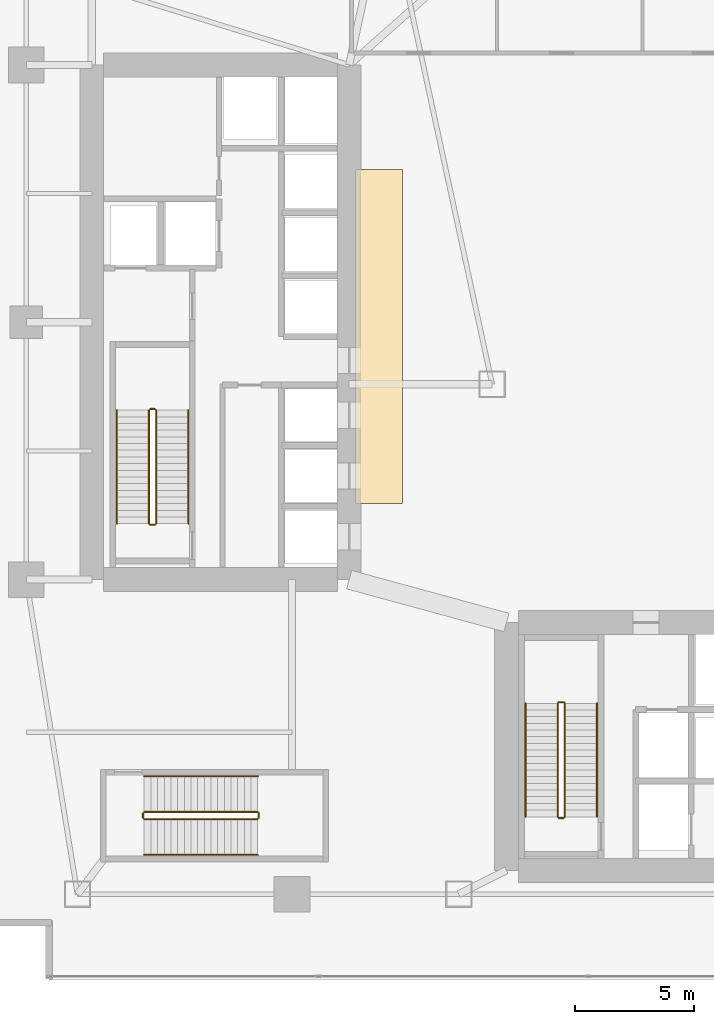
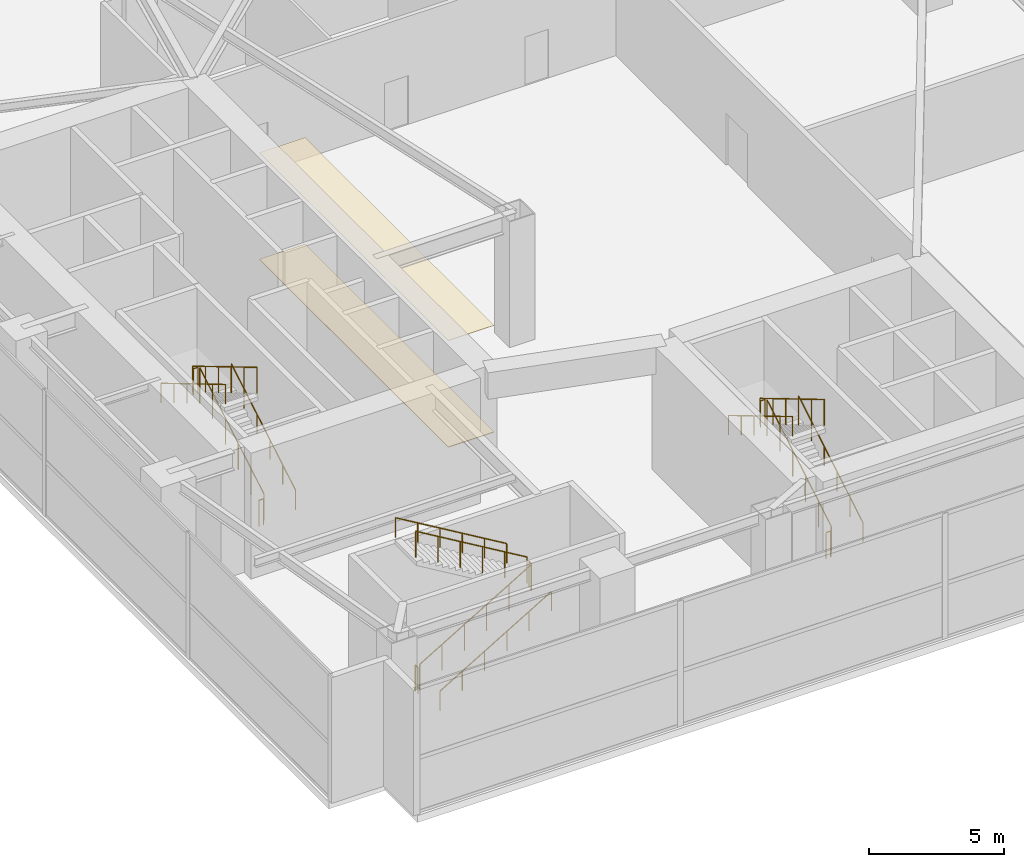
# One storey, part 34 of 35: 18 railings, 2 coverings.
"""IFC4 building model written with IfcOpenShell, lengths in metres."""

from ifc_helpers import new_model, si_unit, direction, frame, origin, origin_2d, place, context, subcontext, project, spatial, rectangle, circle, extrude, material, layer, layer_set, type_object, element, save


model = new_model("IFC4")

# Units and contexts
model_context = context("Model", 3, precision=1e-05, world=origin(), true_north=direction((0.0, 1.0)))
body_context = subcontext(model_context, "Body", "Model", "MODEL_VIEW")
ifc_project = project(units=[si_unit("LENGTHUNIT", "METRE"), si_unit("AREAUNIT", "SQUARE_METRE"), si_unit("VOLUMEUNIT", "CUBIC_METRE"), si_unit("PLANEANGLEUNIT", "RADIAN"), si_unit("MASSUNIT", "GRAM", prefix="KILO")], contexts=[model_context])

# Site, building, storey
site_placement = place(None, origin())
site = spatial("IfcSite", under=ifc_project, at=site_placement, CompositionType="ELEMENT")
building_placement = place(site_placement, origin())
building = spatial("IfcBuilding", under=site, at=building_placement, Name="Calvorn Quay Hotel", CompositionType="ELEMENT")
storey_placement = place(building_placement, frame((0.0, 0.0, 6.0)))
storey = spatial("IfcBuildingStorey", under=building, at=storey_placement, Name="L01", CompositionType="ELEMENT", Elevation=6.0)

# Coverings
ifc_material_1 = material(Name="Anodised Aluminium Acoustic Baffle", Category="aluminium")
ifc_layer_1 = layer(ifc_material_1, 0.02001953125)
ifc_layer_set_1 = layer_set([ifc_layer_1], Name="COV-CEIL-METAL")
covering_type_1 = type_object("IfcCoveringType", Name="COV-CEIL-METAL", PredefinedType="CEILING", material=ifc_layer_set_1)
covering_1_placement = place(storey_placement, frame((16.25, 27.0, 4.820068359375), z_axis=(0.0, 0.0, 1.0), x_axis=(1.0, 0.0, 0.0)))
element("IfcCovering", 1, at=covering_1_placement, inside=storey, type_object=covering_type_1, Name="Acoustic Suspended Ceiling (L01)", PredefinedType="CEILING", context=body_context, shape_type="SweptSolid", body=[
    extrude(rectangle(XDim=1.9599609375, YDim=14.0, at=origin_2d()), origin(), (0.0, 0.0, 1.0), 0.02001953125),
])
ifc_material_2 = material(Name="Honed Granite Stone Flooring", Category="masonry")
ifc_layer_2 = layer(ifc_material_2, 0.02392578125)
ifc_layer_set_2 = layer_set([ifc_layer_2], Name="COV-FLOOR-STONE")
covering_type_2 = type_object("IfcCoveringType", Name="COV-FLOOR-STONE", PredefinedType="FLOORING", material=ifc_layer_set_2)
covering_2_placement = place(storey_placement, frame((16.25, 27.0, 0.0), z_axis=(0.0, 0.0, 1.0), x_axis=(1.0, 0.0, 0.0)))
element("IfcCovering", 2, at=covering_2_placement, inside=storey, type_object=covering_type_2, Name="Interior Floor Finish (L01)", PredefinedType="FLOORING", context=body_context, shape_type="SweptSolid", body=[
    extrude(rectangle(XDim=1.9599609375, YDim=14.0, at=origin_2d()), origin(), (0.0, 0.0, 1.0), 0.02392578125),
])

# Railings
ifc_material_3 = material(Name="Brushed Stainless Steel Handrail", Category="steel")
railing_type_1 = type_object("IfcRailingType", Name="RLG-HANDRAIL-900", PredefinedType="HANDRAIL", material=ifc_material_3)
railing_1_placement = place(storey_placement, frame((8.25, 19.14990234375, 0.166748046875)))
element("IfcRailing", 3, at=railing_1_placement, inside=storey, type_object=railing_type_1, Name="L01 ST-W stair handrail 1", PredefinedType="HANDRAIL", context=body_context, shape_type="SweptSolid", body=[
    extrude(circle(Radius=0.02392578125, at=origin_2d()), frame((0.0, 0.0, 0.8759765625), z_axis=(0.0, 0.859299802514, 0.511472237174), x_axis=(-1.0, 0.0, 0.0)), (0.0, 0.0, 1.0), 5.539306640625),
    extrude(circle(Radius=0.02099609375, at=origin_2d()), origin(), (0.0, 0.0, 1.0), 0.851806640625),
    extrude(circle(Radius=0.02099609375, at=origin_2d()), frame((0.0, 0.951904296875, 0.566650390625)), (0.0, 0.0, 1.0), 0.851806640625),
    extrude(circle(Radius=0.02099609375, at=origin_2d()), frame((0.0, 1.904052734375, 1.13330078125)), (0.0, 0.0, 1.0), 0.851806640625),
    extrude(circle(Radius=0.02099609375, at=origin_2d()), frame((0.0, 2.85595703125, 1.699951171875)), (0.0, 0.0, 1.0), 0.851806640625),
    extrude(circle(Radius=0.02099609375, at=origin_2d()), frame((0.0, 3.80810546875, 2.2666015625)), (0.0, 0.0, 1.0), 0.851806640625),
    extrude(circle(Radius=0.02099609375, at=origin_2d()), frame((0.0, 4.760009765625, 2.833251953125)), (0.0, 0.0, 1.0), 0.851806640625),
])
railing_2_placement = place(storey_placement, frame((5.25, 23.909912109375, 3.166748046875)))
element("IfcRailing", 4, at=railing_2_placement, inside=storey, type_object=railing_type_1, Name="L01 ST-W stair handrail 2", PredefinedType="HANDRAIL", context=body_context, shape_type="SweptSolid", body=[
    extrude(circle(Radius=0.02392578125, at=origin_2d()), frame((0.0, 0.0, 0.8759765625), z_axis=(0.0, -0.859299802514, 0.511472237174), x_axis=(1.0, 0.0, 0.0)), (0.0, 0.0, 1.0), 5.539306640625),
    extrude(circle(Radius=0.02099609375, at=origin_2d()), origin(), (0.0, 0.0, 1.0), 0.851806640625),
    extrude(circle(Radius=0.02099609375, at=origin_2d()), frame((0.0, -0.951904296875, 0.566650390625)), (0.0, 0.0, 1.0), 0.851806640625),
    extrude(circle(Radius=0.02099609375, at=origin_2d()), frame((0.0, -1.904052734375, 1.13330078125)), (0.0, 0.0, 1.0), 0.851806640625),
    extrude(circle(Radius=0.02099609375, at=origin_2d()), frame((0.0, -2.85595703125, 1.699951171875)), (0.0, 0.0, 1.0), 0.851806640625),
    extrude(circle(Radius=0.02099609375, at=origin_2d()), frame((0.0, -3.80810546875, 2.2666015625)), (0.0, 0.0, 1.0), 0.851806640625),
    extrude(circle(Radius=0.02099609375, at=origin_2d()), frame((0.0, -4.760009765625, 2.833251953125)), (0.0, 0.0, 1.0), 0.851806640625),
])
railing_3_placement = place(storey_placement, frame((25.39990234375, 6.85009765625, 0.166748046875)))
element("IfcRailing", 5, at=railing_3_placement, inside=storey, type_object=railing_type_1, Name="L01 ST-E stair handrail 1", PredefinedType="HANDRAIL", context=body_context, shape_type="SweptSolid", body=[
    extrude(circle(Radius=0.02392578125, at=origin_2d()), frame((0.0, 0.0, 0.8759765625), z_axis=(0.0, 0.859299802514, 0.511472237174), x_axis=(-1.0, 0.0, 0.0)), (0.0, 0.0, 1.0), 5.539306640625),
    extrude(circle(Radius=0.02099609375, at=origin_2d()), origin(), (0.0, 0.0, 1.0), 0.851806640625),
    extrude(circle(Radius=0.02099609375, at=origin_2d()), frame((0.0, 0.951904296875, 0.566650390625)), (0.0, 0.0, 1.0), 0.851806640625),
    extrude(circle(Radius=0.02099609375, at=origin_2d()), frame((0.0, 1.904052734375, 1.13330078125)), (0.0, 0.0, 1.0), 0.851806640625),
    extrude(circle(Radius=0.02099609375, at=origin_2d()), frame((0.0, 2.85595703125, 1.699951171875)), (0.0, 0.0, 1.0), 0.851806640625),
    extrude(circle(Radius=0.02099609375, at=origin_2d()), frame((0.0, 3.80810546875, 2.2666015625)), (0.0, 0.0, 1.0), 0.851806640625),
    extrude(circle(Radius=0.02099609375, at=origin_2d()), frame((0.0, 4.760009765625, 2.833251953125)), (0.0, 0.0, 1.0), 0.851806640625),
])
railing_4_placement = place(storey_placement, frame((22.39990234375, 11.610107421875, 3.166748046875)))
element("IfcRailing", 6, at=railing_4_placement, inside=storey, type_object=railing_type_1, Name="L01 ST-E stair handrail 2", PredefinedType="HANDRAIL", context=body_context, shape_type="SweptSolid", body=[
    extrude(circle(Radius=0.02392578125, at=origin_2d()), frame((0.0, 0.0, 0.8759765625), z_axis=(0.0, -0.859299802514, 0.511472237174), x_axis=(1.0, 0.0, 0.0)), (0.0, 0.0, 1.0), 5.539306640625),
    extrude(circle(Radius=0.02099609375, at=origin_2d()), origin(), (0.0, 0.0, 1.0), 0.851806640625),
    extrude(circle(Radius=0.02099609375, at=origin_2d()), frame((0.0, -0.951904296875, 0.566650390625)), (0.0, 0.0, 1.0), 0.851806640625),
    extrude(circle(Radius=0.02099609375, at=origin_2d()), frame((0.0, -1.904052734375, 1.13330078125)), (0.0, 0.0, 1.0), 0.851806640625),
    extrude(circle(Radius=0.02099609375, at=origin_2d()), frame((0.0, -2.85595703125, 1.699951171875)), (0.0, 0.0, 1.0), 0.851806640625),
    extrude(circle(Radius=0.02099609375, at=origin_2d()), frame((0.0, -3.80810546875, 2.2666015625)), (0.0, 0.0, 1.0), 0.851806640625),
    extrude(circle(Radius=0.02099609375, at=origin_2d()), frame((0.0, -4.760009765625, 2.833251953125)), (0.0, 0.0, 1.0), 0.851806640625),
])
railing_5_placement = place(storey_placement, frame((6.39990234375, 5.25, 0.166748046875)))
element("IfcRailing", 7, at=railing_5_placement, inside=storey, type_object=railing_type_1, Name="L01 ST-P2 stair handrail 1", PredefinedType="HANDRAIL", context=body_context, shape_type="SweptSolid", body=[
    extrude(circle(Radius=0.02392578125, at=origin_2d()), frame((0.0, 0.0, 0.8759765625), z_axis=(0.859299802514, 0.0, 0.511472237174), x_axis=(0.0, 1.0, 0.0)), (0.0, 0.0, 1.0), 5.539306640625),
    extrude(circle(Radius=0.02099609375, at=origin_2d()), origin(), (0.0, 0.0, 1.0), 0.851806640625),
    extrude(circle(Radius=0.02099609375, at=origin_2d()), frame((0.951904296875, 0.0, 0.566650390625)), (0.0, 0.0, 1.0), 0.851806640625),
    extrude(circle(Radius=0.02099609375, at=origin_2d()), frame((1.904052734375, 0.0, 1.13330078125)), (0.0, 0.0, 1.0), 0.851806640625),
    extrude(circle(Radius=0.02099609375, at=origin_2d()), frame((2.85595703125, 0.0, 1.699951171875)), (0.0, 0.0, 1.0), 0.851806640625),
    extrude(circle(Radius=0.02099609375, at=origin_2d()), frame((3.80810546875, 0.0, 2.2666015625)), (0.0, 0.0, 1.0), 0.851806640625),
    extrude(circle(Radius=0.02099609375, at=origin_2d()), frame((4.760009765625, 0.0, 2.833251953125)), (0.0, 0.0, 1.0), 0.851806640625),
])
railing_6_placement = place(storey_placement, frame((11.159912109375, 8.550048828125, 3.166748046875)))
element("IfcRailing", 8, at=railing_6_placement, inside=storey, type_object=railing_type_1, Name="L01 ST-P2 stair handrail 2", PredefinedType="HANDRAIL", context=body_context, shape_type="SweptSolid", body=[
    extrude(circle(Radius=0.02392578125, at=origin_2d()), frame((0.0, 0.0, 0.8759765625), z_axis=(-0.859299802514, 0.0, 0.511472237174), x_axis=(0.0, -1.0, 0.0)), (0.0, 0.0, 1.0), 5.539306640625),
    extrude(circle(Radius=0.02099609375, at=origin_2d()), origin(), (0.0, 0.0, 1.0), 0.851806640625),
    extrude(circle(Radius=0.02099609375, at=origin_2d()), frame((-0.951904296875, 0.0, 0.566650390625)), (0.0, 0.0, 1.0), 0.851806640625),
    extrude(circle(Radius=0.02099609375, at=origin_2d()), frame((-1.904052734375, 0.0, 1.13330078125)), (0.0, 0.0, 1.0), 0.851806640625),
    extrude(circle(Radius=0.02099609375, at=origin_2d()), frame((-2.85595703125, 0.0, 1.699951171875)), (0.0, 0.0, 1.0), 0.851806640625),
    extrude(circle(Radius=0.02099609375, at=origin_2d()), frame((-3.80810546875, 0.0, 2.2666015625)), (0.0, 0.0, 1.0), 0.851806640625),
    extrude(circle(Radius=0.02099609375, at=origin_2d()), frame((-4.760009765625, 0.0, 2.833251953125)), (0.0, 0.0, 1.0), 0.851806640625),
])
ifc_material_4 = material(Name="Painted Galvanised Steel Balustrade", Category="steel")
railing_type_2 = type_object("IfcRailingType", Name="RLG-STAIR-GUARD-1120", PredefinedType="GUARDRAIL", material=ifc_material_4)
railing_7_placement = place(storey_placement, frame((6.89990234375, 19.14990234375, 0.166748046875)))
element("IfcRailing", 9, at=railing_7_placement, inside=storey, type_object=railing_type_2, Name="L01 ST-W stair guard 1", PredefinedType="GUARDRAIL", context=body_context, shape_type="SweptSolid", body=[
    extrude(circle(Radius=0.02392578125, at=origin_2d()), frame((0.0, 0.0, 1.17578125), z_axis=(0.0, 0.859299802514, 0.511472237174), x_axis=(-1.0, 0.0, 0.0)), (0.0, 0.0, 1.0), 5.539306640625),
    extrude(circle(Radius=0.02099609375, at=origin_2d()), origin(), (0.0, 0.0, 1.0), 1.15185546875),
    extrude(circle(Radius=0.02099609375, at=origin_2d()), frame((0.0, 0.951904296875, 0.566650390625)), (0.0, 0.0, 1.0), 1.15185546875),
    extrude(circle(Radius=0.02099609375, at=origin_2d()), frame((0.0, 1.904052734375, 1.13330078125)), (0.0, 0.0, 1.0), 1.15185546875),
    extrude(circle(Radius=0.02099609375, at=origin_2d()), frame((0.0, 2.85595703125, 1.699951171875)), (0.0, 0.0, 1.0), 1.15185546875),
    extrude(circle(Radius=0.02099609375, at=origin_2d()), frame((0.0, 3.80810546875, 2.2666015625)), (0.0, 0.0, 1.0), 1.15185546875),
    extrude(circle(Radius=0.02099609375, at=origin_2d()), frame((0.0, 4.760009765625, 2.833251953125)), (0.0, 0.0, 1.0), 1.15185546875),
])
railing_8_placement = place(storey_placement, frame((6.85009765625, 23.9599609375, 3.0)))
element("IfcRailing", 10, at=railing_8_placement, inside=storey, type_object=railing_type_2, Name="L01 ST-W stair guard 2", PredefinedType="GUARDRAIL", context=body_context, shape_type="SweptSolid", body=[
    extrude(circle(Radius=0.02392578125, at=origin_2d()), frame((0.0, 0.0, 1.17578125), z_axis=(-1.0, 0.0, 0.0), x_axis=(0.0, -1.0, 0.0)), (0.0, 0.0, 1.0), 0.2001953125),
    extrude(circle(Radius=0.02099609375, at=origin_2d()), origin(), (0.0, 0.0, 1.0), 1.15185546875),
    extrude(circle(Radius=0.02099609375, at=origin_2d()), frame((-0.2001953125, 0.0, 0.0)), (0.0, 0.0, 1.0), 1.15185546875),
])
railing_9_placement = place(storey_placement, frame((6.60009765625, 23.909912109375, 3.166748046875)))
element("IfcRailing", 11, at=railing_9_placement, inside=storey, type_object=railing_type_2, Name="L01 ST-W stair guard 3", PredefinedType="GUARDRAIL", context=body_context, shape_type="SweptSolid", body=[
    extrude(circle(Radius=0.02392578125, at=origin_2d()), frame((0.0, 0.0, 1.17578125), z_axis=(0.0, -0.859299802514, 0.511472237174), x_axis=(1.0, 0.0, 0.0)), (0.0, 0.0, 1.0), 5.539306640625),
    extrude(circle(Radius=0.02099609375, at=origin_2d()), origin(), (0.0, 0.0, 1.0), 1.15185546875),
    extrude(circle(Radius=0.02099609375, at=origin_2d()), frame((0.0, -0.951904296875, 0.566650390625)), (0.0, 0.0, 1.0), 1.15185546875),
    extrude(circle(Radius=0.02099609375, at=origin_2d()), frame((0.0, -1.904052734375, 1.13330078125)), (0.0, 0.0, 1.0), 1.15185546875),
    extrude(circle(Radius=0.02099609375, at=origin_2d()), frame((0.0, -2.85595703125, 1.699951171875)), (0.0, 0.0, 1.0), 1.15185546875),
    extrude(circle(Radius=0.02099609375, at=origin_2d()), frame((0.0, -3.80810546875, 2.2666015625)), (0.0, 0.0, 1.0), 1.15185546875),
    extrude(circle(Radius=0.02099609375, at=origin_2d()), frame((0.0, -4.760009765625, 2.833251953125)), (0.0, 0.0, 1.0), 1.15185546875),
])
railing_10_placement = place(storey_placement, frame((6.85009765625, 19.10009765625, 0.0)))
element("IfcRailing", 12, at=railing_10_placement, inside=storey, type_object=railing_type_2, Name="L01 ST-W stair guard 4", PredefinedType="GUARDRAIL", context=body_context, shape_type="SweptSolid", body=[
    extrude(circle(Radius=0.02392578125, at=origin_2d()), frame((0.0, 0.0, 1.17578125), z_axis=(-1.0, 0.0, 0.0), x_axis=(0.0, -1.0, 0.0)), (0.0, 0.0, 1.0), 0.2001953125),
    extrude(circle(Radius=0.02099609375, at=origin_2d()), origin(), (0.0, 0.0, 1.0), 1.15185546875),
    extrude(circle(Radius=0.02099609375, at=origin_2d()), frame((-0.2001953125, 0.0, 0.0)), (0.0, 0.0, 1.0), 1.15185546875),
])
railing_11_placement = place(storey_placement, frame((24.050048828125, 6.85009765625, 0.166748046875)))
element("IfcRailing", 13, at=railing_11_placement, inside=storey, type_object=railing_type_2, Name="L01 ST-E stair guard 1", PredefinedType="GUARDRAIL", context=body_context, shape_type="SweptSolid", body=[
    extrude(circle(Radius=0.02392578125, at=origin_2d()), frame((0.0, 0.0, 1.17578125), z_axis=(0.0, 0.859299802514, 0.511472237174), x_axis=(-1.0, 0.0, 0.0)), (0.0, 0.0, 1.0), 5.539306640625),
    extrude(circle(Radius=0.02099609375, at=origin_2d()), origin(), (0.0, 0.0, 1.0), 1.15185546875),
    extrude(circle(Radius=0.02099609375, at=origin_2d()), frame((0.0, 0.951904296875, 0.566650390625)), (0.0, 0.0, 1.0), 1.15185546875),
    extrude(circle(Radius=0.02099609375, at=origin_2d()), frame((0.0, 1.904052734375, 1.13330078125)), (0.0, 0.0, 1.0), 1.15185546875),
    extrude(circle(Radius=0.02099609375, at=origin_2d()), frame((0.0, 2.85595703125, 1.699951171875)), (0.0, 0.0, 1.0), 1.15185546875),
    extrude(circle(Radius=0.02099609375, at=origin_2d()), frame((0.0, 3.80810546875, 2.2666015625)), (0.0, 0.0, 1.0), 1.15185546875),
    extrude(circle(Radius=0.02099609375, at=origin_2d()), frame((0.0, 4.760009765625, 2.833251953125)), (0.0, 0.0, 1.0), 1.15185546875),
])
railing_12_placement = place(storey_placement, frame((24.0, 11.659912109375, 3.0)))
element("IfcRailing", 14, at=railing_12_placement, inside=storey, type_object=railing_type_2, Name="L01 ST-E stair guard 2", PredefinedType="GUARDRAIL", context=body_context, shape_type="SweptSolid", body=[
    extrude(circle(Radius=0.02392578125, at=origin_2d()), frame((0.0, 0.0, 1.17578125), z_axis=(-1.0, 0.0, 0.0), x_axis=(0.0, -1.0, 0.0)), (0.0, 0.0, 1.0), 0.199951171875),
    extrude(circle(Radius=0.02099609375, at=origin_2d()), origin(), (0.0, 0.0, 1.0), 1.15185546875),
    extrude(circle(Radius=0.02099609375, at=origin_2d()), frame((-0.199951171875, 0.0, 0.0)), (0.0, 0.0, 1.0), 1.15185546875),
])
railing_13_placement = place(storey_placement, frame((23.75, 11.610107421875, 3.166748046875)))
element("IfcRailing", 15, at=railing_13_placement, inside=storey, type_object=railing_type_2, Name="L01 ST-E stair guard 3", PredefinedType="GUARDRAIL", context=body_context, shape_type="SweptSolid", body=[
    extrude(circle(Radius=0.02392578125, at=origin_2d()), frame((0.0, 0.0, 1.17578125), z_axis=(0.0, -0.859299802514, 0.511472237174), x_axis=(1.0, 0.0, 0.0)), (0.0, 0.0, 1.0), 5.539306640625),
    extrude(circle(Radius=0.02099609375, at=origin_2d()), origin(), (0.0, 0.0, 1.0), 1.15185546875),
    extrude(circle(Radius=0.02099609375, at=origin_2d()), frame((0.0, -0.951904296875, 0.566650390625)), (0.0, 0.0, 1.0), 1.15185546875),
    extrude(circle(Radius=0.02099609375, at=origin_2d()), frame((0.0, -1.904052734375, 1.13330078125)), (0.0, 0.0, 1.0), 1.15185546875),
    extrude(circle(Radius=0.02099609375, at=origin_2d()), frame((0.0, -2.85595703125, 1.699951171875)), (0.0, 0.0, 1.0), 1.15185546875),
    extrude(circle(Radius=0.02099609375, at=origin_2d()), frame((0.0, -3.80810546875, 2.2666015625)), (0.0, 0.0, 1.0), 1.15185546875),
    extrude(circle(Radius=0.02099609375, at=origin_2d()), frame((0.0, -4.760009765625, 2.833251953125)), (0.0, 0.0, 1.0), 1.15185546875),
])
railing_14_placement = place(storey_placement, frame((24.0, 6.800048828125, 0.0)))
element("IfcRailing", 16, at=railing_14_placement, inside=storey, type_object=railing_type_2, Name="L01 ST-E stair guard 4", PredefinedType="GUARDRAIL", context=body_context, shape_type="SweptSolid", body=[
    extrude(circle(Radius=0.02392578125, at=origin_2d()), frame((0.0, 0.0, 1.17578125), z_axis=(-1.0, 0.0, 0.0), x_axis=(0.0, -1.0, 0.0)), (0.0, 0.0, 1.0), 0.199951171875),
    extrude(circle(Radius=0.02099609375, at=origin_2d()), origin(), (0.0, 0.0, 1.0), 1.15185546875),
    extrude(circle(Radius=0.02099609375, at=origin_2d()), frame((-0.199951171875, 0.0, 0.0)), (0.0, 0.0, 1.0), 1.15185546875),
])
railing_15_placement = place(storey_placement, frame((6.39990234375, 6.75, 0.166748046875)))
element("IfcRailing", 17, at=railing_15_placement, inside=storey, type_object=railing_type_2, Name="L01 ST-P2 stair guard 1", PredefinedType="GUARDRAIL", context=body_context, shape_type="SweptSolid", body=[
    extrude(circle(Radius=0.02392578125, at=origin_2d()), frame((0.0, 0.0, 1.17578125), z_axis=(0.859299802514, 0.0, 0.511472237174), x_axis=(0.0, 1.0, 0.0)), (0.0, 0.0, 1.0), 5.539306640625),
    extrude(circle(Radius=0.02099609375, at=origin_2d()), origin(), (0.0, 0.0, 1.0), 1.15185546875),
    extrude(circle(Radius=0.02099609375, at=origin_2d()), frame((0.951904296875, 0.0, 0.566650390625)), (0.0, 0.0, 1.0), 1.15185546875),
    extrude(circle(Radius=0.02099609375, at=origin_2d()), frame((1.904052734375, 0.0, 1.13330078125)), (0.0, 0.0, 1.0), 1.15185546875),
    extrude(circle(Radius=0.02099609375, at=origin_2d()), frame((2.85595703125, 0.0, 1.699951171875)), (0.0, 0.0, 1.0), 1.15185546875),
    extrude(circle(Radius=0.02099609375, at=origin_2d()), frame((3.80810546875, 0.0, 2.2666015625)), (0.0, 0.0, 1.0), 1.15185546875),
    extrude(circle(Radius=0.02099609375, at=origin_2d()), frame((4.760009765625, 0.0, 2.833251953125)), (0.0, 0.0, 1.0), 1.15185546875),
])
railing_16_placement = place(storey_placement, frame((11.2099609375, 6.800048828125, 3.0)))
element("IfcRailing", 18, at=railing_16_placement, inside=storey, type_object=railing_type_2, Name="L01 ST-P2 stair guard 2", PredefinedType="GUARDRAIL", context=body_context, shape_type="SweptSolid", body=[
    extrude(circle(Radius=0.02392578125, at=origin_2d()), frame((0.0, 0.0, 1.17578125), z_axis=(0.0, 1.0, 0.0), x_axis=(-1.0, 0.0, 0.0)), (0.0, 0.0, 1.0), 0.199951171875),
    extrude(circle(Radius=0.02099609375, at=origin_2d()), origin(), (0.0, 0.0, 1.0), 1.15185546875),
    extrude(circle(Radius=0.02099609375, at=origin_2d()), frame((0.0, 0.199951171875, 0.0)), (0.0, 0.0, 1.0), 1.15185546875),
])
railing_17_placement = place(storey_placement, frame((11.159912109375, 7.050048828125, 3.166748046875)))
element("IfcRailing", 19, at=railing_17_placement, inside=storey, type_object=railing_type_2, Name="L01 ST-P2 stair guard 3", PredefinedType="GUARDRAIL", context=body_context, shape_type="SweptSolid", body=[
    extrude(circle(Radius=0.02392578125, at=origin_2d()), frame((0.0, 0.0, 1.17578125), z_axis=(-0.859299802514, 0.0, 0.511472237174), x_axis=(0.0, -1.0, 0.0)), (0.0, 0.0, 1.0), 5.539306640625),
    extrude(circle(Radius=0.02099609375, at=origin_2d()), origin(), (0.0, 0.0, 1.0), 1.15185546875),
    extrude(circle(Radius=0.02099609375, at=origin_2d()), frame((-0.951904296875, 0.0, 0.566650390625)), (0.0, 0.0, 1.0), 1.15185546875),
    extrude(circle(Radius=0.02099609375, at=origin_2d()), frame((-1.904052734375, 0.0, 1.13330078125)), (0.0, 0.0, 1.0), 1.15185546875),
    extrude(circle(Radius=0.02099609375, at=origin_2d()), frame((-2.85595703125, 0.0, 1.699951171875)), (0.0, 0.0, 1.0), 1.15185546875),
    extrude(circle(Radius=0.02099609375, at=origin_2d()), frame((-3.80810546875, 0.0, 2.2666015625)), (0.0, 0.0, 1.0), 1.15185546875),
    extrude(circle(Radius=0.02099609375, at=origin_2d()), frame((-4.760009765625, 0.0, 2.833251953125)), (0.0, 0.0, 1.0), 1.15185546875),
])
railing_18_placement = place(storey_placement, frame((6.35009765625, 6.800048828125, 0.0)))
element("IfcRailing", 20, at=railing_18_placement, inside=storey, type_object=railing_type_2, Name="L01 ST-P2 stair guard 4", PredefinedType="GUARDRAIL", context=body_context, shape_type="SweptSolid", body=[
    extrude(circle(Radius=0.02392578125, at=origin_2d()), frame((0.0, 0.0, 1.17578125), z_axis=(0.0, 1.0, 0.0), x_axis=(-1.0, 0.0, 0.0)), (0.0, 0.0, 1.0), 0.199951171875),
    extrude(circle(Radius=0.02099609375, at=origin_2d()), origin(), (0.0, 0.0, 1.0), 1.15185546875),
    extrude(circle(Radius=0.02099609375, at=origin_2d()), frame((0.0, 0.199951171875, 0.0)), (0.0, 0.0, 1.0), 1.15185546875),
])

save(model, "model.ifc")
